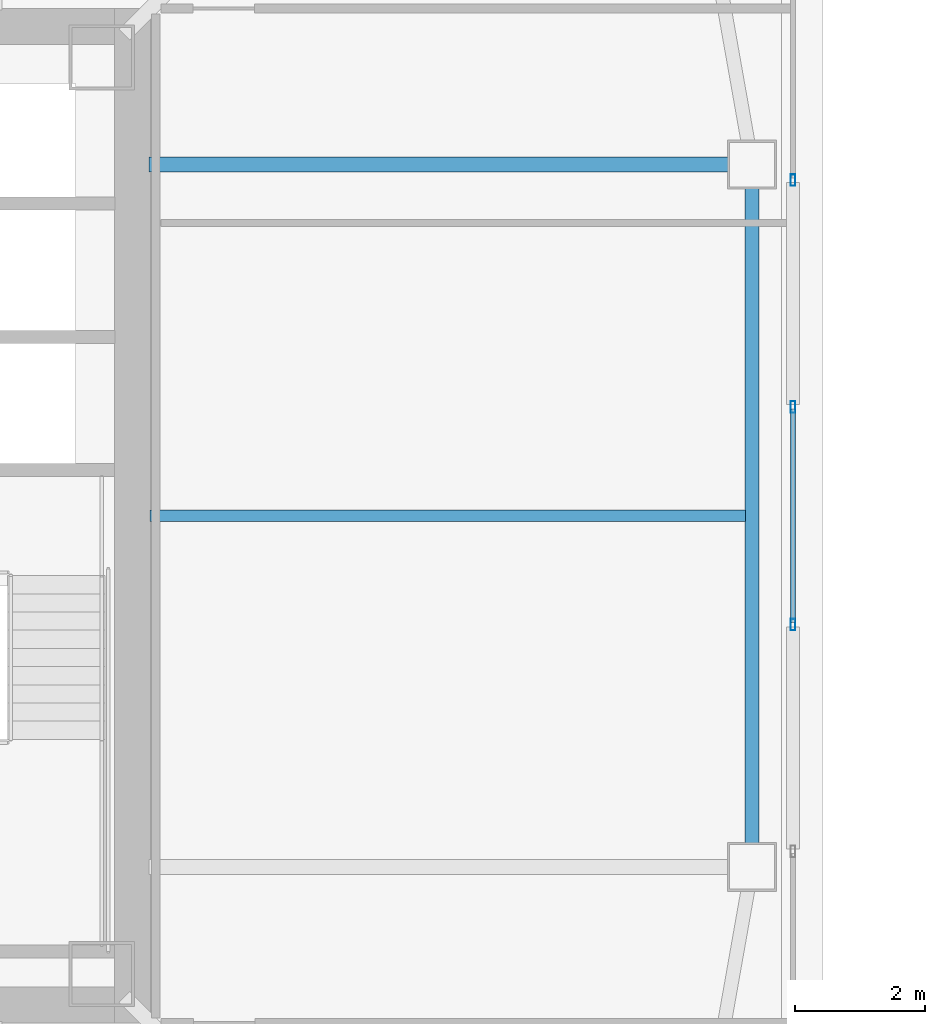
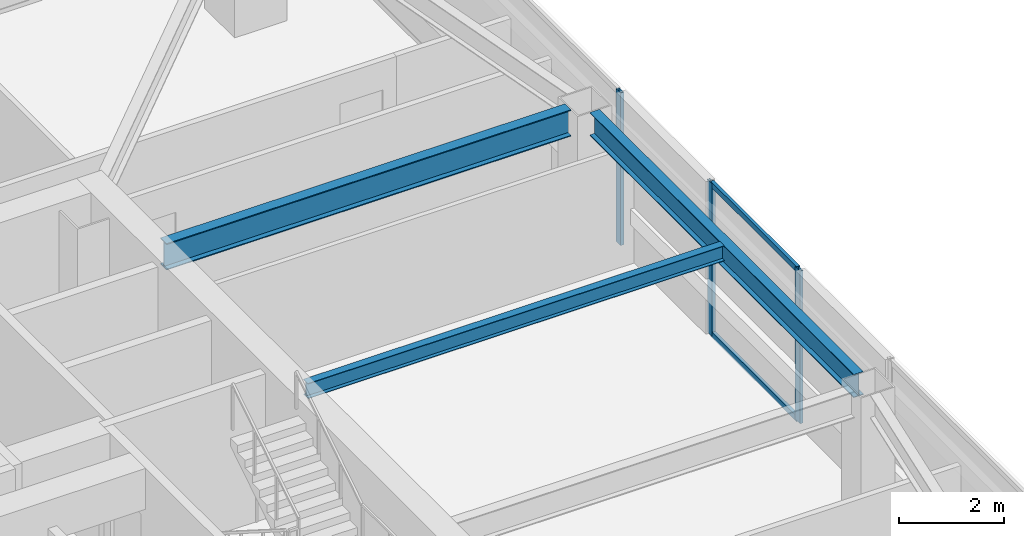
# One storey, part 10 of 43: 5 members, 3 beams, 2 elements without a shape of their own.
"""IFC4 building model written with IfcOpenShell, lengths in metres."""

from ifc_helpers import new_model, si_unit, direction, frame, origin, origin_2d, place, context, subcontext, project, spatial, hollow_rectangle, i_section, extrude, material, material_profile, profile_set, type_object, element, aggregate, save


model = new_model("IFC4")

# Units and contexts
model_context = context("Model", 3, precision=1e-05, world=origin(), true_north=direction((0.0, 1.0)))
body_context = subcontext(model_context, "Body", "Model", "MODEL_VIEW")
ifc_project = project(units=[si_unit("LENGTHUNIT", "METRE"), si_unit("AREAUNIT", "SQUARE_METRE"), si_unit("VOLUMEUNIT", "CUBIC_METRE"), si_unit("PLANEANGLEUNIT", "RADIAN"), si_unit("MASSUNIT", "GRAM", prefix="KILO")], contexts=[model_context])

# Site, building, storey
site_placement = place(None, origin())
site = spatial("IfcSite", under=ifc_project, at=site_placement, CompositionType="ELEMENT")
building_placement = place(site_placement, origin())
building = spatial("IfcBuilding", under=site, at=building_placement, Name="Tashvorn Skyway Center", CompositionType="ELEMENT")
storey_placement = place(building_placement, frame((0.0, 0.0, 188.949951171875)))
storey = spatial("IfcBuildingStorey", under=building, at=storey_placement, Name="L51", CompositionType="ELEMENT", Elevation=188.949951171875)

# Beams
ifc_material_1 = material(Name="Steel ASTM A992 Grade 50", Category="steel")
ifc_material_profile_1 = material_profile(ifc_material_1, i_section(OverallWidth=0.22998046875, OverallDepth=0.616943359375, WebThickness=0.01318359375, FlangeThickness=0.022216796875, at=origin_2d()), Name="W24X94")
ifc_profile_set_1 = profile_set([ifc_material_profile_1], Name="Steel ASTM A992 Grade 50")
beam_type_1 = type_object("IfcBeamType", Name="BM-BEAM-W24X94", PredefinedType="BEAM", material=ifc_profile_set_1)
beam_1_placement = place(storey_placement, frame((58.679931640625, 37.39990234375, 3.0615234375), z_axis=(-1.0, 0.0, 0.0), x_axis=(0.0, -1.0, 0.0)))
element("IfcBeam", 1, at=beam_1_placement, inside=storey, type_object=beam_type_1, Name="Tower 1 L51 Primary Floor Girder FC-E2", PredefinedType="BEAM", context=body_context, shape_type="SweptSolid", body=[
    extrude(i_section(OverallWidth=0.22998046875, OverallDepth=0.616943359375, WebThickness=0.01318359375, FlangeThickness=0.022216796875, at=origin_2d()), origin(), (0.0, 0.0, 1.0), 8.89990234375),
])
ifc_material_profile_2 = material_profile(ifc_material_1, i_section(OverallWidth=0.1708984375, OverallDepth=0.35498046875, WebThickness=0.007080078125, FlangeThickness=0.01171875, at=origin_2d()), Name="W14X34")
ifc_profile_set_2 = profile_set([ifc_material_profile_2], Name="Steel ASTM A992 Grade 50")
beam_type_2 = type_object("IfcBeamType", Name="BM-JOIST-W14X34", PredefinedType="JOIST", material=ifc_profile_set_2)
beam_2_placement = place(storey_placement, frame((49.7900390625, 32.0, 3.192626953125), z_axis=(1.0, 0.0, 0.0), x_axis=(0.0, 1.0, 0.0)))
element("IfcBeam", 2, at=beam_2_placement, inside=storey, type_object=beam_type_2, Name="Tower 1 L51 Secondary Composite Joist JE", PredefinedType="JOIST", context=body_context, shape_type="SweptSolid", body=[
    extrude(i_section(OverallWidth=0.1708984375, OverallDepth=0.35498046875, WebThickness=0.007080078125, FlangeThickness=0.01171875, at=origin_2d()), origin(), (0.0, 0.0, 1.0), 9.162353515625),
])
ifc_material_profile_3 = material_profile(ifc_material_1, i_section(OverallWidth=0.2109375, OverallDepth=0.5390625, WebThickness=0.01171875, FlangeThickness=0.018798828125, at=origin_2d()), Name="W21X73")
ifc_profile_set_3 = profile_set([ifc_material_profile_3], Name="Steel ASTM A992 Grade 50")
beam_type_3 = type_object("IfcBeamType", Name="BM-SPANDREL-W21X73", PredefinedType="SPANDREL", material=ifc_profile_set_3)
beam_3_placement = place(storey_placement, frame((59.050048828125, 26.969970703125, 3.1005859375), z_axis=(0.0, 1.0, 0.0), x_axis=(-1.0, 0.0, 0.0)))
element("IfcBeam", 3, at=beam_3_placement, inside=storey, type_object=beam_type_3, Name="Tower 1 L51 Spandrel Beam 05", PredefinedType="SPANDREL", context=body_context, shape_type="SweptSolid", body=[
    extrude(i_section(OverallWidth=0.2109375, OverallDepth=0.5390625, WebThickness=0.01171875, FlangeThickness=0.018798828125, at=origin_2d()), origin(), (0.0, 0.0, 1.0), 10.06005859375),
])

# Curtain wall, member
ifc_material_2 = material(Name="Thermally broken bronze-anodized aluminium 6063-T6", Category="aluminium")
curtain_wall_type = type_object("IfcCurtainWallType", Name="CW-CW-Z4", PredefinedType="NOTDEFINED", material=ifc_material_2)
curtain_wall_1_placement = place(storey_placement, origin())
curtain_wall_1 = element("IfcCurtainWall", 4, at=curtain_wall_1_placement, inside=storey, type_object=curtain_wall_type, Name="Tower 1 L51 East Unitised Curtain Wall Glazing Group 1", PredefinedType="NOTDEFINED")
ifc_material_profile_4 = material_profile(ifc_material_2, hollow_rectangle(XDim=0.070068359375, YDim=0.179931640625, WallThickness=0.00390625, at=origin_2d()), Name="ALU-MULL-70x180")
ifc_profile_set_4 = profile_set([ifc_material_profile_4], Name="Thermally broken bronze-anodized aluminium 6063-T6")
member_type_1 = type_object("IfcMemberType", Name="CWM-CW-Z4", PredefinedType="MULLION", material=ifc_profile_set_4)
member_1_placement = place(storey_placement, frame((59.679931640625, 37.16162109375, 0.0), z_axis=(0.0, 0.0, 1.0), x_axis=(1.0, 0.0, 0.0)))
member_1 = element("IfcMember", 5, at=member_1_placement, type_object=member_type_1, Name="CW-Z4 mullion 2", PredefinedType="MULLION", context=body_context, shape_type="SweptSolid", body=[
    extrude(hollow_rectangle(XDim=0.070068359375, YDim=0.179931640625, WallThickness=0.00390625, at=origin_2d()), origin(), (0.0, 0.0, 1.0), 3.550048828125),
])
aggregate(curtain_wall_1, [member_1])

# Curtain wall, members
curtain_wall_2_placement = place(storey_placement, origin())
curtain_wall_2 = element("IfcCurtainWall", 6, at=curtain_wall_2_placement, inside=storey, type_object=curtain_wall_type, Name="Tower 1 L51 East Unitised Curtain Wall Glazing Group 2", PredefinedType="NOTDEFINED")
member_2_placement = place(storey_placement, frame((59.679931640625, 33.673828125, 0.0), z_axis=(0.0, 0.0, 1.0), x_axis=(1.0, 0.0, 0.0)))
member_2 = element("IfcMember", 7, at=member_2_placement, type_object=member_type_1, Name="CW-Z4 mullion 1", PredefinedType="MULLION", context=body_context, shape_type="SweptSolid", body=[
    extrude(hollow_rectangle(XDim=0.070068359375, YDim=0.179931640625, WallThickness=0.00390625, at=origin_2d()), origin(), (0.0, 0.0, 1.0), 3.550048828125),
])
member_3_placement = place(storey_placement, frame((59.679931640625, 30.326171875, 0.0), z_axis=(0.0, 0.0, 1.0), x_axis=(1.0, 0.0, 0.0)))
member_3 = element("IfcMember", 8, at=member_3_placement, type_object=member_type_1, Name="CW-Z4 mullion 2", PredefinedType="MULLION", context=body_context, shape_type="SweptSolid", body=[
    extrude(hollow_rectangle(XDim=0.070068359375, YDim=0.179931640625, WallThickness=0.00390625, at=origin_2d()), origin(), (0.0, 0.0, 1.0), 3.550048828125),
])
ifc_material_profile_5 = material_profile(ifc_material_2, hollow_rectangle(XDim=0.070068359375, YDim=0.1298828125, WallThickness=0.00390625, at=origin_2d()), Name="ALU-TRAN-70x130")
ifc_profile_set_5 = profile_set([ifc_material_profile_5], Name="Thermally broken bronze-anodized aluminium 6063-T6")
member_type_2 = type_object("IfcMemberType", Name="CWT-CW-Z4", PredefinedType="USERDEFINED", material=ifc_profile_set_5)
member_4_placement = place(storey_placement, frame((59.679931640625, 33.638916015625, 0.03515625), z_axis=(0.0, -1.0, 0.0), x_axis=(1.0, 0.0, 0.0)))
member_4 = element("IfcMember", 9, at=member_4_placement, type_object=member_type_2, Name="CW-Z4 transom 1.1", ObjectType="TRANSOM", PredefinedType="USERDEFINED", context=body_context, shape_type="SweptSolid", body=[
    extrude(hollow_rectangle(XDim=0.070068359375, YDim=0.1298828125, WallThickness=0.00390625, at=origin_2d()), origin(), (0.0, 0.0, 1.0), 3.27783203125),
])
member_5_placement = place(storey_placement, frame((59.679931640625, 33.638916015625, 3.51513671875), z_axis=(0.0, -1.0, 0.0), x_axis=(1.0, 0.0, 0.0)))
member_5 = element("IfcMember", 10, at=member_5_placement, type_object=member_type_2, Name="CW-Z4 transom 1.2", ObjectType="TRANSOM", PredefinedType="USERDEFINED", context=body_context, shape_type="SweptSolid", body=[
    extrude(hollow_rectangle(XDim=0.070068359375, YDim=0.1298828125, WallThickness=0.00390625, at=origin_2d()), origin(), (0.0, 0.0, 1.0), 3.27783203125),
])
aggregate(curtain_wall_2, [member_2, member_3, member_4, member_5])

save(model, "model.ifc")
